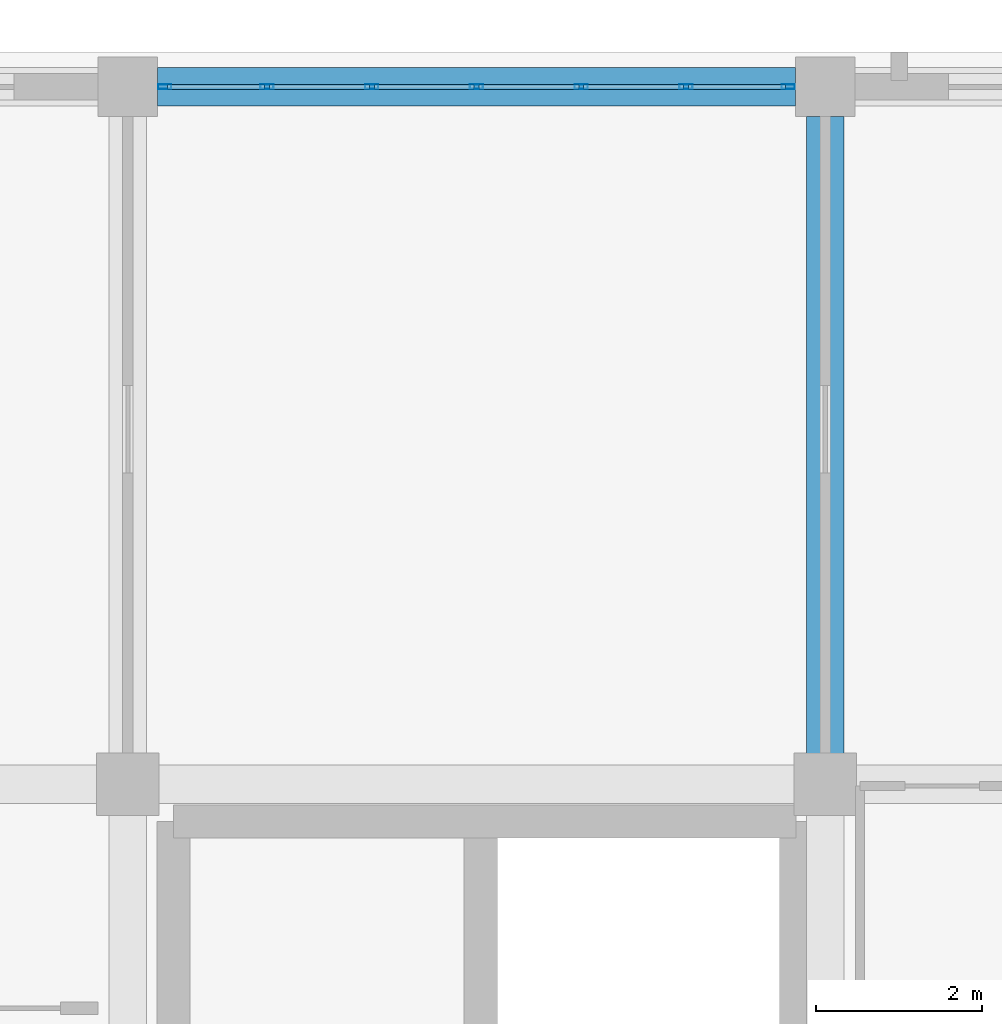
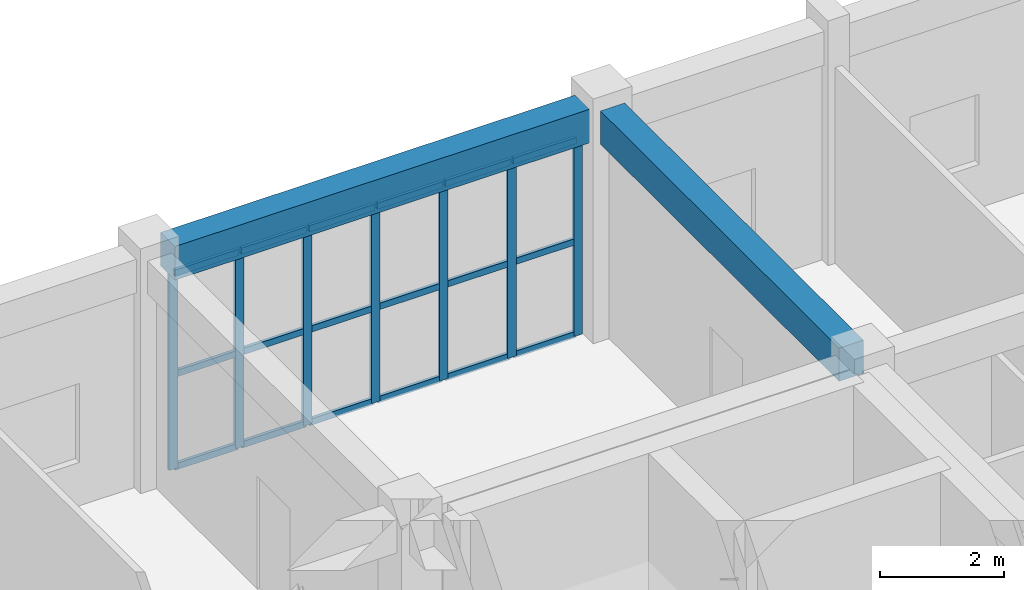
# One storey, part 62 of 158: 25 members, 2 beams, 1 element without a shape of its own.
"""IFC4 building model written with IfcOpenShell, lengths in metres."""

from ifc_helpers import new_model, si_unit, direction, frame, origin, origin_2d, place, context, subcontext, project, spatial, rectangle, hollow_rectangle, extrude, material, layer, layer_set, material_profile, profile_set, type_object, element, aggregate, save


model = new_model("IFC4")

# Units and contexts
model_context = context("Model", 3, precision=1e-05, world=origin(), true_north=direction((0.0, 1.0)))
body_context = subcontext(model_context, "Body", "Model", "MODEL_VIEW")
ifc_project = project(units=[si_unit("LENGTHUNIT", "METRE"), si_unit("AREAUNIT", "SQUARE_METRE"), si_unit("VOLUMEUNIT", "CUBIC_METRE"), si_unit("PLANEANGLEUNIT", "RADIAN"), si_unit("MASSUNIT", "GRAM", prefix="KILO")], contexts=[model_context])

# Site, building, storey
site_placement = place(None, origin())
site = spatial("IfcSite", under=ifc_project, at=site_placement, CompositionType="ELEMENT")
building_placement = place(site_placement, origin())
building = spatial("IfcBuilding", under=site, at=building_placement, Name="Trelvath General Hospital", CompositionType="ELEMENT")
storey_placement = place(building_placement, frame((0.0, 0.0, 8.10009765625)))
storey = spatial("IfcBuildingStorey", under=building, at=storey_placement, Name="L02", CompositionType="ELEMENT", Elevation=8.10009765625)

# Beams
ifc_material_1 = material(Name="Concrete C35/45", Category="concrete")
ifc_material_profile_1 = material_profile(ifc_material_1, rectangle(XDim=0.449951171875, YDim=0.64990234375, at=origin_2d()), Name="RCB450x650")
ifc_profile_set_1 = profile_set([ifc_material_profile_1], Name="Concrete C35/45")
beam_type_1 = type_object("IfcBeamType", Name="Beam RC450x650", PredefinedType="BEAM", material=ifc_profile_set_1)
beam_1_placement = place(storey_placement, frame((50.39990234375, 109.570068359375, 4.19482421875), z_axis=(0.0, 1.0, 0.0), x_axis=(-1.0, 0.0, 0.0)))
element("IfcBeam", 1, at=beam_1_placement, inside=storey, type_object=beam_type_1, Name="Grid Beam BY-206N", PredefinedType="BEAM", context=body_context, shape_type="SweptSolid", body=[
    extrude(rectangle(XDim=0.449951171875, YDim=0.64990234375, at=origin_2d()), origin(), (0.0, 0.0, 1.0), 7.675048828125),
])
ifc_material_2 = material(Name="Concrete C35/45", Category="concrete")
ifc_material_profile_2 = material_profile(ifc_material_2, rectangle(XDim=0.4599609375, YDim=0.659912109375, at=origin_2d()), Name="RCB460x660")
ifc_profile_set_2 = profile_set([ifc_material_profile_2], Name="Concrete C35/45")
beam_type_2 = type_object("IfcBeamType", Name="Beam RC460x660", PredefinedType="BEAM", material=ifc_profile_set_2)
beam_2_placement = place(storey_placement, frame((42.35498046875, 117.60009765625, 4.18994140625), z_axis=(1.0, 0.0, 0.0), x_axis=(0.0, 1.0, 0.0)))
element("IfcBeam", 2, at=beam_2_placement, inside=storey, type_object=beam_type_2, Name="Grid Beam BX-205O", PredefinedType="BEAM", context=body_context, shape_type="SweptSolid", body=[
    extrude(rectangle(XDim=0.4599609375, YDim=0.659912109375, at=origin_2d()), origin(), (0.0, 0.0, 1.0), 7.68994140625),
])

# Curtain wall, members
ifc_material_3 = material(Name="Anodised aluminium and low-E glass", Category="aluminium")
ifc_layer = layer(ifc_material_3, 0.159912109375)
ifc_layer_set = layer_set([ifc_layer], Name="Anodised aluminium and low-E glass")
curtain_wall_type = type_object("IfcCurtainWallType", Name="CW Facade 757 386 16", PredefinedType="USERDEFINED", material=ifc_layer_set)
curtain_wall_placement = place(storey_placement, origin())
curtain_wall = element("IfcCurtainWall", 3, at=curtain_wall_placement, inside=storey, type_object=curtain_wall_type, Name="Facade Curtain Wall CW-041", ObjectType="Unitised Glazed Curtain Wall", PredefinedType="USERDEFINED")
ifc_material_4 = material(Name="Anodised aluminium", Category="aluminium")
ifc_material_profile_3 = material_profile(ifc_material_4, hollow_rectangle(XDim=0.06005859375, YDim=0.159912109375, WallThickness=0.00390625, at=origin_2d()), Name="RHS60x160x4")
ifc_profile_set_3 = profile_set([ifc_material_profile_3], Name="Anodised aluminium")
member_type_1 = type_object("IfcMemberType", Name="CurtainMullion 60x160", PredefinedType="MULLION", material=ifc_profile_set_3)
member_1_placement = place(storey_placement, frame((42.445068359375, 117.60009765625, 0.0), z_axis=(0.0, 0.0, 1.0), x_axis=(0.0, 1.0, 0.0)))
member_1 = element("IfcMember", 4, at=member_1_placement, type_object=member_type_1, Name="CW-041 mullion 1", PredefinedType="MULLION", context=body_context, shape_type="SweptSolid", body=[
    extrude(hollow_rectangle(XDim=0.06005859375, YDim=0.159912109375, WallThickness=0.00390625, at=origin_2d()), origin(), (0.0, 0.0, 1.0), 3.85986328125),
])
member_2_placement = place(storey_placement, frame((43.6767578125, 117.60009765625, 0.0), z_axis=(0.0, 0.0, 1.0), x_axis=(0.0, 1.0, 0.0)))
member_2 = element("IfcMember", 5, at=member_2_placement, type_object=member_type_1, Name="CW-041 mullion 2", PredefinedType="MULLION", context=body_context, shape_type="SweptSolid", body=[
    extrude(hollow_rectangle(XDim=0.06005859375, YDim=0.159912109375, WallThickness=0.00390625, at=origin_2d()), origin(), (0.0, 0.0, 1.0), 3.85986328125),
])
member_3_placement = place(storey_placement, frame((44.938232421875, 117.60009765625, 0.0), z_axis=(0.0, 0.0, 1.0), x_axis=(0.0, 1.0, 0.0)))
member_3 = element("IfcMember", 6, at=member_3_placement, type_object=member_type_1, Name="CW-041 mullion 3", PredefinedType="MULLION", context=body_context, shape_type="SweptSolid", body=[
    extrude(hollow_rectangle(XDim=0.06005859375, YDim=0.159912109375, WallThickness=0.00390625, at=origin_2d()), origin(), (0.0, 0.0, 1.0), 3.85986328125),
])
member_4_placement = place(storey_placement, frame((46.199951171875, 117.60009765625, 0.0), z_axis=(0.0, 0.0, 1.0), x_axis=(0.0, 1.0, 0.0)))
member_4 = element("IfcMember", 7, at=member_4_placement, type_object=member_type_1, Name="CW-041 mullion 4", PredefinedType="MULLION", context=body_context, shape_type="SweptSolid", body=[
    extrude(hollow_rectangle(XDim=0.06005859375, YDim=0.159912109375, WallThickness=0.00390625, at=origin_2d()), origin(), (0.0, 0.0, 1.0), 3.85986328125),
])
member_5_placement = place(storey_placement, frame((47.461669921875, 117.60009765625, 0.0), z_axis=(0.0, 0.0, 1.0), x_axis=(0.0, 1.0, 0.0)))
member_5 = element("IfcMember", 8, at=member_5_placement, type_object=member_type_1, Name="CW-041 mullion 5", PredefinedType="MULLION", context=body_context, shape_type="SweptSolid", body=[
    extrude(hollow_rectangle(XDim=0.06005859375, YDim=0.159912109375, WallThickness=0.00390625, at=origin_2d()), origin(), (0.0, 0.0, 1.0), 3.85986328125),
])
member_6_placement = place(storey_placement, frame((48.723388671875, 117.60009765625, 0.0), z_axis=(0.0, 0.0, 1.0), x_axis=(0.0, 1.0, 0.0)))
member_6 = element("IfcMember", 9, at=member_6_placement, type_object=member_type_1, Name="CW-041 mullion 6", PredefinedType="MULLION", context=body_context, shape_type="SweptSolid", body=[
    extrude(hollow_rectangle(XDim=0.06005859375, YDim=0.159912109375, WallThickness=0.00390625, at=origin_2d()), origin(), (0.0, 0.0, 1.0), 3.85986328125),
])
member_7_placement = place(storey_placement, frame((49.955078125, 117.60009765625, 0.0), z_axis=(0.0, 0.0, 1.0), x_axis=(0.0, 1.0, 0.0)))
member_7 = element("IfcMember", 10, at=member_7_placement, type_object=member_type_1, Name="CW-041 mullion 7", PredefinedType="MULLION", context=body_context, shape_type="SweptSolid", body=[
    extrude(hollow_rectangle(XDim=0.06005859375, YDim=0.159912109375, WallThickness=0.00390625, at=origin_2d()), origin(), (0.0, 0.0, 1.0), 3.85986328125),
])
ifc_material_5 = material(Name="Anodised aluminium", Category="aluminium")
ifc_material_profile_4 = material_profile(ifc_material_5, hollow_rectangle(XDim=0.06005859375, YDim=0.125, WallThickness=0.00390625, at=origin_2d()), Name="RHS60x125x4")
ifc_profile_set_4 = profile_set([ifc_material_profile_4], Name="Anodised aluminium")
member_type_2 = type_object("IfcMemberType", Name="CurtainTransom 60x125", PredefinedType="USERDEFINED", material=ifc_profile_set_4)
member_8_placement = place(storey_placement, frame((42.47509765625, 117.60009765625, 0.02978515625), z_axis=(1.0, 0.0, 0.0), x_axis=(0.0, 1.0, 0.0)))
member_8 = element("IfcMember", 11, at=member_8_placement, type_object=member_type_2, Name="CW-041 transom 1.1", ObjectType="TRANSOM", PredefinedType="USERDEFINED", context=body_context, shape_type="SweptSolid", body=[
    extrude(hollow_rectangle(XDim=0.06005859375, YDim=0.125, WallThickness=0.00390625, at=origin_2d()), origin(), (0.0, 0.0, 1.0), 1.171630859375),
])
member_9_placement = place(storey_placement, frame((42.47509765625, 117.60009765625, 1.852783203125), z_axis=(1.0, 0.0, 0.0), x_axis=(0.0, 1.0, 0.0)))
member_9 = element("IfcMember", 12, at=member_9_placement, type_object=member_type_2, Name="CW-041 transom 1.2", ObjectType="TRANSOM", PredefinedType="USERDEFINED", context=body_context, shape_type="SweptSolid", body=[
    extrude(hollow_rectangle(XDim=0.06005859375, YDim=0.125, WallThickness=0.00390625, at=origin_2d()), origin(), (0.0, 0.0, 1.0), 1.171630859375),
])
member_10_placement = place(storey_placement, frame((42.47509765625, 117.60009765625, 3.829833984375), z_axis=(1.0, 0.0, 0.0), x_axis=(0.0, 1.0, 0.0)))
member_10 = element("IfcMember", 13, at=member_10_placement, type_object=member_type_2, Name="CW-041 transom 1.3", ObjectType="TRANSOM", PredefinedType="USERDEFINED", context=body_context, shape_type="SweptSolid", body=[
    extrude(hollow_rectangle(XDim=0.06005859375, YDim=0.125, WallThickness=0.00390625, at=origin_2d()), origin(), (0.0, 0.0, 1.0), 1.171630859375),
])
member_11_placement = place(storey_placement, frame((43.706787109375, 117.60009765625, 0.02978515625), z_axis=(1.0, 0.0, 0.0), x_axis=(0.0, 1.0, 0.0)))
member_11 = element("IfcMember", 14, at=member_11_placement, type_object=member_type_2, Name="CW-041 transom 2.1", ObjectType="TRANSOM", PredefinedType="USERDEFINED", context=body_context, shape_type="SweptSolid", body=[
    extrude(hollow_rectangle(XDim=0.06005859375, YDim=0.125, WallThickness=0.00390625, at=origin_2d()), origin(), (0.0, 0.0, 1.0), 1.20166015625),
])
member_12_placement = place(storey_placement, frame((43.706787109375, 117.60009765625, 1.852783203125), z_axis=(1.0, 0.0, 0.0), x_axis=(0.0, 1.0, 0.0)))
member_12 = element("IfcMember", 15, at=member_12_placement, type_object=member_type_2, Name="CW-041 transom 2.2", ObjectType="TRANSOM", PredefinedType="USERDEFINED", context=body_context, shape_type="SweptSolid", body=[
    extrude(hollow_rectangle(XDim=0.06005859375, YDim=0.125, WallThickness=0.00390625, at=origin_2d()), origin(), (0.0, 0.0, 1.0), 1.20166015625),
])
member_13_placement = place(storey_placement, frame((43.706787109375, 117.60009765625, 3.829833984375), z_axis=(1.0, 0.0, 0.0), x_axis=(0.0, 1.0, 0.0)))
member_13 = element("IfcMember", 16, at=member_13_placement, type_object=member_type_2, Name="CW-041 transom 2.3", ObjectType="TRANSOM", PredefinedType="USERDEFINED", context=body_context, shape_type="SweptSolid", body=[
    extrude(hollow_rectangle(XDim=0.06005859375, YDim=0.125, WallThickness=0.00390625, at=origin_2d()), origin(), (0.0, 0.0, 1.0), 1.20166015625),
])
member_14_placement = place(storey_placement, frame((44.96826171875, 117.60009765625, 0.02978515625), z_axis=(1.0, 0.0, 0.0), x_axis=(0.0, 1.0, 0.0)))
member_14 = element("IfcMember", 17, at=member_14_placement, type_object=member_type_2, Name="CW-041 transom 3.1", ObjectType="TRANSOM", PredefinedType="USERDEFINED", context=body_context, shape_type="SweptSolid", body=[
    extrude(hollow_rectangle(XDim=0.06005859375, YDim=0.125, WallThickness=0.00390625, at=origin_2d()), origin(), (0.0, 0.0, 1.0), 1.20166015625),
])
member_15_placement = place(storey_placement, frame((44.96826171875, 117.60009765625, 1.852783203125), z_axis=(1.0, 0.0, 0.0), x_axis=(0.0, 1.0, 0.0)))
member_15 = element("IfcMember", 18, at=member_15_placement, type_object=member_type_2, Name="CW-041 transom 3.2", ObjectType="TRANSOM", PredefinedType="USERDEFINED", context=body_context, shape_type="SweptSolid", body=[
    extrude(hollow_rectangle(XDim=0.06005859375, YDim=0.125, WallThickness=0.00390625, at=origin_2d()), origin(), (0.0, 0.0, 1.0), 1.20166015625),
])
member_16_placement = place(storey_placement, frame((44.96826171875, 117.60009765625, 3.829833984375), z_axis=(1.0, 0.0, 0.0), x_axis=(0.0, 1.0, 0.0)))
member_16 = element("IfcMember", 19, at=member_16_placement, type_object=member_type_2, Name="CW-041 transom 3.3", ObjectType="TRANSOM", PredefinedType="USERDEFINED", context=body_context, shape_type="SweptSolid", body=[
    extrude(hollow_rectangle(XDim=0.06005859375, YDim=0.125, WallThickness=0.00390625, at=origin_2d()), origin(), (0.0, 0.0, 1.0), 1.20166015625),
])
member_17_placement = place(storey_placement, frame((46.22998046875, 117.60009765625, 0.02978515625), z_axis=(1.0, 0.0, 0.0), x_axis=(0.0, 1.0, 0.0)))
member_17 = element("IfcMember", 20, at=member_17_placement, type_object=member_type_2, Name="CW-041 transom 4.1", ObjectType="TRANSOM", PredefinedType="USERDEFINED", context=body_context, shape_type="SweptSolid", body=[
    extrude(hollow_rectangle(XDim=0.06005859375, YDim=0.125, WallThickness=0.00390625, at=origin_2d()), origin(), (0.0, 0.0, 1.0), 1.20166015625),
])
member_18_placement = place(storey_placement, frame((46.22998046875, 117.60009765625, 1.852783203125), z_axis=(1.0, 0.0, 0.0), x_axis=(0.0, 1.0, 0.0)))
member_18 = element("IfcMember", 21, at=member_18_placement, type_object=member_type_2, Name="CW-041 transom 4.2", ObjectType="TRANSOM", PredefinedType="USERDEFINED", context=body_context, shape_type="SweptSolid", body=[
    extrude(hollow_rectangle(XDim=0.06005859375, YDim=0.125, WallThickness=0.00390625, at=origin_2d()), origin(), (0.0, 0.0, 1.0), 1.20166015625),
])
member_19_placement = place(storey_placement, frame((46.22998046875, 117.60009765625, 3.829833984375), z_axis=(1.0, 0.0, 0.0), x_axis=(0.0, 1.0, 0.0)))
member_19 = element("IfcMember", 22, at=member_19_placement, type_object=member_type_2, Name="CW-041 transom 4.3", ObjectType="TRANSOM", PredefinedType="USERDEFINED", context=body_context, shape_type="SweptSolid", body=[
    extrude(hollow_rectangle(XDim=0.06005859375, YDim=0.125, WallThickness=0.00390625, at=origin_2d()), origin(), (0.0, 0.0, 1.0), 1.20166015625),
])
member_20_placement = place(storey_placement, frame((47.49169921875, 117.60009765625, 0.02978515625), z_axis=(1.0, 0.0, 0.0), x_axis=(0.0, 1.0, 0.0)))
member_20 = element("IfcMember", 23, at=member_20_placement, type_object=member_type_2, Name="CW-041 transom 5.1", ObjectType="TRANSOM", PredefinedType="USERDEFINED", context=body_context, shape_type="SweptSolid", body=[
    extrude(hollow_rectangle(XDim=0.06005859375, YDim=0.125, WallThickness=0.00390625, at=origin_2d()), origin(), (0.0, 0.0, 1.0), 1.20166015625),
])
member_21_placement = place(storey_placement, frame((47.49169921875, 117.60009765625, 1.852783203125), z_axis=(1.0, 0.0, 0.0), x_axis=(0.0, 1.0, 0.0)))
member_21 = element("IfcMember", 24, at=member_21_placement, type_object=member_type_2, Name="CW-041 transom 5.2", ObjectType="TRANSOM", PredefinedType="USERDEFINED", context=body_context, shape_type="SweptSolid", body=[
    extrude(hollow_rectangle(XDim=0.06005859375, YDim=0.125, WallThickness=0.00390625, at=origin_2d()), origin(), (0.0, 0.0, 1.0), 1.20166015625),
])
member_22_placement = place(storey_placement, frame((47.49169921875, 117.60009765625, 3.829833984375), z_axis=(1.0, 0.0, 0.0), x_axis=(0.0, 1.0, 0.0)))
member_22 = element("IfcMember", 25, at=member_22_placement, type_object=member_type_2, Name="CW-041 transom 5.3", ObjectType="TRANSOM", PredefinedType="USERDEFINED", context=body_context, shape_type="SweptSolid", body=[
    extrude(hollow_rectangle(XDim=0.06005859375, YDim=0.125, WallThickness=0.00390625, at=origin_2d()), origin(), (0.0, 0.0, 1.0), 1.20166015625),
])
member_23_placement = place(storey_placement, frame((48.75341796875, 117.60009765625, 0.02978515625), z_axis=(1.0, 0.0, 0.0), x_axis=(0.0, 1.0, 0.0)))
member_23 = element("IfcMember", 26, at=member_23_placement, type_object=member_type_2, Name="CW-041 transom 6.1", ObjectType="TRANSOM", PredefinedType="USERDEFINED", context=body_context, shape_type="SweptSolid", body=[
    extrude(hollow_rectangle(XDim=0.06005859375, YDim=0.125, WallThickness=0.00390625, at=origin_2d()), origin(), (0.0, 0.0, 1.0), 1.171630859375),
])
member_24_placement = place(storey_placement, frame((48.75341796875, 117.60009765625, 1.852783203125), z_axis=(1.0, 0.0, 0.0), x_axis=(0.0, 1.0, 0.0)))
member_24 = element("IfcMember", 27, at=member_24_placement, type_object=member_type_2, Name="CW-041 transom 6.2", ObjectType="TRANSOM", PredefinedType="USERDEFINED", context=body_context, shape_type="SweptSolid", body=[
    extrude(hollow_rectangle(XDim=0.06005859375, YDim=0.125, WallThickness=0.00390625, at=origin_2d()), origin(), (0.0, 0.0, 1.0), 1.171630859375),
])
member_25_placement = place(storey_placement, frame((48.75341796875, 117.60009765625, 3.829833984375), z_axis=(1.0, 0.0, 0.0), x_axis=(0.0, 1.0, 0.0)))
member_25 = element("IfcMember", 28, at=member_25_placement, type_object=member_type_2, Name="CW-041 transom 6.3", ObjectType="TRANSOM", PredefinedType="USERDEFINED", context=body_context, shape_type="SweptSolid", body=[
    extrude(hollow_rectangle(XDim=0.06005859375, YDim=0.125, WallThickness=0.00390625, at=origin_2d()), origin(), (0.0, 0.0, 1.0), 1.171630859375),
])
aggregate(curtain_wall, [member_1, member_2, member_3, member_4, member_5, member_6, member_7, member_8, member_9, member_10, member_11, member_12, member_13, member_14, member_15, member_16, member_17, member_18, member_19, member_20, member_21, member_22, member_23, member_24, member_25])

save(model, "model.ifc")
